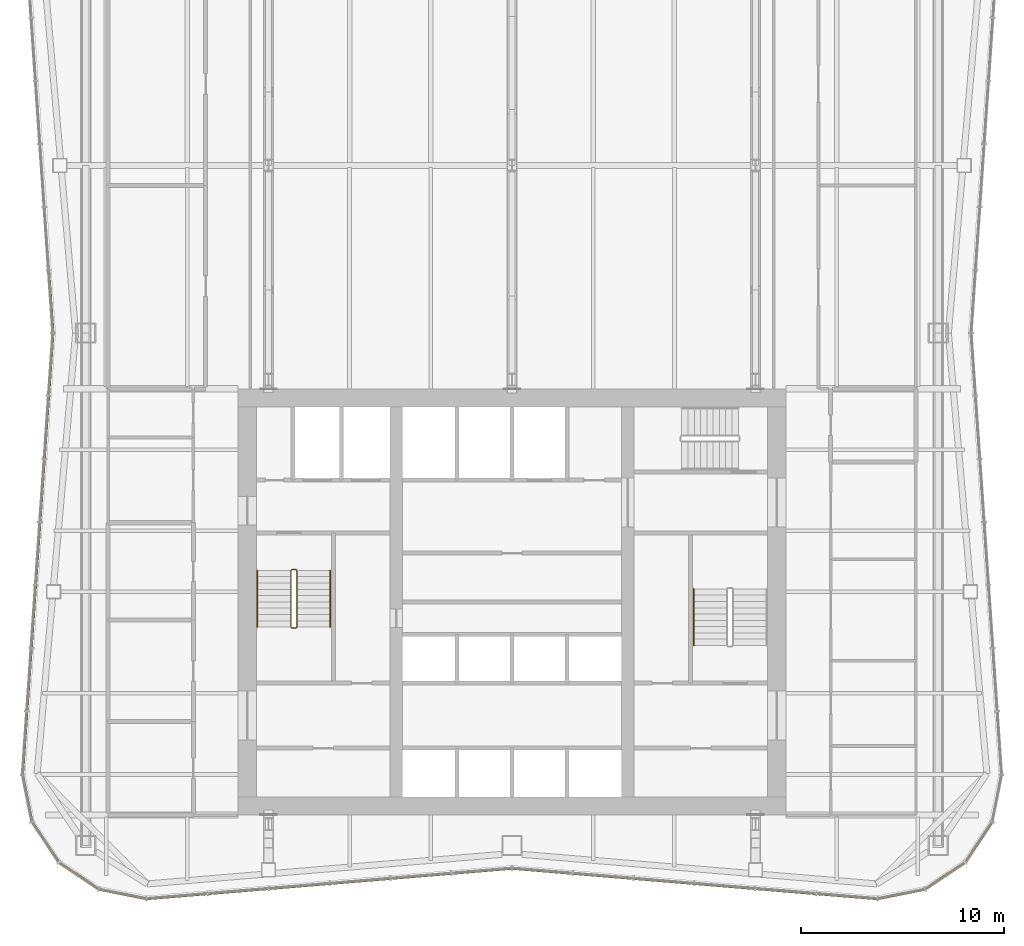
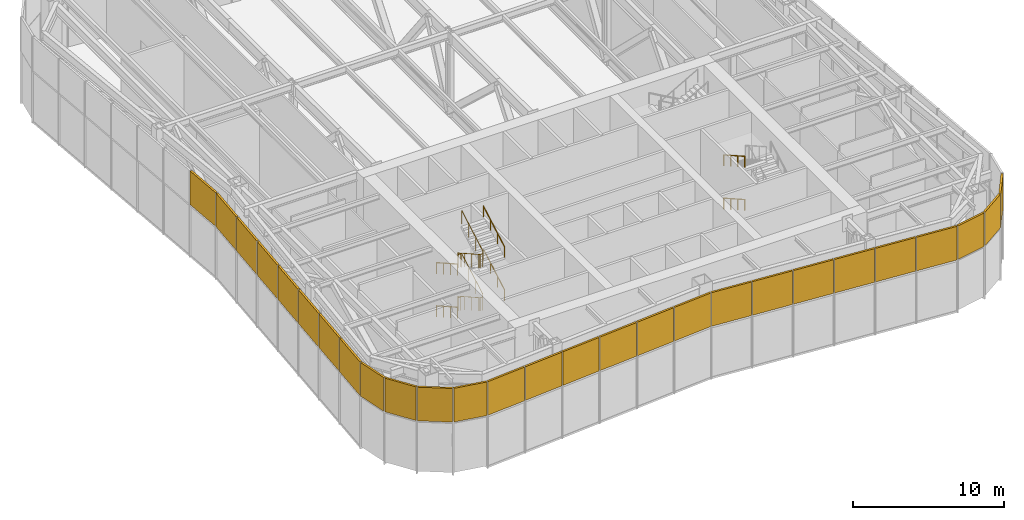
# One storey, part 12 of 14: 27 shading devices, 7 railings, 4 elements without a shape of their own.
"""IFC4 building model written with IfcOpenShell, lengths in metres."""

from ifc_helpers import new_model, si_unit, direction, frame, origin, origin_2d, place, context, subcontext, project, spatial, rectangle, circle, extrude, material, layer, layer_set, type_object, element, aggregate, save


model = new_model("IFC4")

# Units and contexts
model_context = context("Model", 3, precision=1e-05, world=origin(), true_north=direction((0.0, 1.0)))
body_context = subcontext(model_context, "Body", "Model", "MODEL_VIEW")
ifc_project = project(units=[si_unit("LENGTHUNIT", "METRE"), si_unit("AREAUNIT", "SQUARE_METRE"), si_unit("VOLUMEUNIT", "CUBIC_METRE"), si_unit("PLANEANGLEUNIT", "RADIAN"), si_unit("MASSUNIT", "GRAM", prefix="KILO")], contexts=[model_context])

# Site, building, storey
site_placement = place(None, origin())
site = spatial("IfcSite", under=ifc_project, at=site_placement, CompositionType="ELEMENT")
building_placement = place(site_placement, origin())
building = spatial("IfcBuilding", under=site, at=building_placement, Name="Verdant Reach Tower", CompositionType="ELEMENT")
storey_placement = place(building_placement, frame((0.0, 0.0, 226.0)))
storey = spatial("IfcBuildingStorey", under=building, at=storey_placement, Name="L52 Plant", CompositionType="ELEMENT", Elevation=226.0)

# Railings
ifc_material_1 = material(Name="Stainless steel", Category="steel")
railing_type_1 = type_object("IfcRailingType", Name="CO-GUARD", PredefinedType="GUARDRAIL", material=ifc_material_1)
railing_1_placement = place(storey_placement, frame((-10.64990234375, 29.60009765625, 0.0)))
element("IfcRailing", 1, at=railing_1_placement, inside=storey, type_object=railing_type_1, Name="L52 Plant ST-1 stair guard 1", PredefinedType="GUARDRAIL", context=body_context, shape_type="SweptSolid", body=[
    extrude(circle(Radius=0.02392578125, at=origin_2d()), frame((0.0, 0.0, 1.076171875), z_axis=(-1.0, 0.0, 0.0), x_axis=(0.0, -1.0, 0.0)), (0.0, 0.0, 1.0), 0.2001953125),
    extrude(circle(Radius=0.02392578125, at=origin_2d()), frame((-0.2001953125, 0.0, 1.076171875), z_axis=(-0.263862480399, -0.265155923931, 0.927399011991), x_axis=(0.708833529934, -0.705375805398, 0.0)), (0.0, 0.0, 1.0), 0.188720703125),
    extrude(circle(Radius=0.02392578125, at=origin_2d()), frame((-0.25, -0.050048828125, 1.2509765625), z_axis=(0.0, -0.870833779661, 0.491577591232), x_axis=(1.0, 0.0, 0.0)), (0.0, 0.0, 1.0), 3.203857421875),
    extrude(circle(Radius=0.02392578125, at=origin_2d()), frame((-0.25, -2.840087890625, 2.826171875), z_axis=(0.705375805398, -0.708833529934, 0.0), x_axis=(0.708833529934, 0.705375805398, 0.0)), (0.0, 0.0, 1.0), 0.070556640625),
    extrude(circle(Radius=0.02392578125, at=origin_2d()), frame((-0.2001953125, -2.89013671875, 2.826171875), z_axis=(1.0, 0.0, 0.0), x_axis=(0.0, 1.0, 0.0)), (0.0, 0.0, 1.0), 0.2001953125),
    extrude(circle(Radius=0.02392578125, at=origin_2d()), frame((0.0, -2.89013671875, 2.826171875), z_axis=(0.263862480399, 0.265155923931, 0.927399011991), x_axis=(-0.708833529934, 0.705375805398, 0.0)), (0.0, 0.0, 1.0), 0.188720703125),
    extrude(circle(Radius=0.02392578125, at=origin_2d()), frame((0.0498046875, -2.840087890625, 3.0009765625), z_axis=(0.0, 0.870833779661, 0.491577591232), x_axis=(-1.0, 0.0, 0.0)), (0.0, 0.0, 1.0), 3.203857421875),
    extrude(circle(Radius=0.02392578125, at=origin_2d()), frame((0.0498046875, -0.050048828125, 4.576171875), z_axis=(-0.705375805398, 0.708833529934, 0.0), x_axis=(-0.708833529934, -0.705375805398, 0.0)), (0.0, 0.0, 1.0), 0.070556640625),
    extrude(circle(Radius=0.02392578125, at=origin_2d()), frame((0.0, 0.0, 4.576171875), z_axis=(-1.0, 0.0, 0.0), x_axis=(0.0, -1.0, 0.0)), (0.0, 0.0, 1.0), 0.2001953125),
    extrude(circle(Radius=0.02392578125, at=origin_2d()), frame((-0.2001953125, 0.0, 4.576171875), z_axis=(-0.263862480399, -0.265155923931, 0.927399011991), x_axis=(0.708833529934, -0.705375805398, 0.0)), (0.0, 0.0, 1.0), 0.188720703125),
    extrude(circle(Radius=0.02392578125, at=origin_2d()), frame((-0.25, -0.050048828125, 4.7509765625), z_axis=(0.0, -0.870833779661, 0.491577591232), x_axis=(1.0, 0.0, 0.0)), (0.0, 0.0, 1.0), 3.203857421875),
    extrude(circle(Radius=0.02392578125, at=origin_2d()), frame((-0.25, -2.840087890625, 6.326171875), z_axis=(0.705375805398, -0.708833529934, 0.0), x_axis=(0.708833529934, 0.705375805398, 0.0)), (0.0, 0.0, 1.0), 0.070556640625),
    extrude(circle(Radius=0.02392578125, at=origin_2d()), frame((-0.2001953125, -2.89013671875, 6.326171875), z_axis=(1.0, 0.0, 0.0), x_axis=(0.0, 1.0, 0.0)), (0.0, 0.0, 1.0), 0.2001953125),
    extrude(circle(Radius=0.02392578125, at=origin_2d()), frame((0.0, -2.89013671875, 6.326171875), z_axis=(0.263862480399, 0.265155923931, 0.927399011991), x_axis=(-0.708833529934, 0.705375805398, 0.0)), (0.0, 0.0, 1.0), 0.188720703125),
    extrude(circle(Radius=0.02392578125, at=origin_2d()), frame((0.0498046875, -2.840087890625, 6.5009765625), z_axis=(0.0, 0.870833779661, 0.491577591232), x_axis=(-1.0, 0.0, 0.0)), (0.0, 0.0, 1.0), 3.203857421875),
    extrude(circle(Radius=0.02099609375, at=origin_2d()), origin(), (0.0, 0.0, 1.0), 1.052001953125),
    extrude(circle(Radius=0.02099609375, at=origin_2d()), frame((-0.2001953125, 0.0, 0.0)), (0.0, 0.0, 1.0), 1.052001953125),
    extrude(circle(Radius=0.02099609375, at=origin_2d()), frame((-0.25, -0.050048828125, 0.175048828125)), (0.0, 0.0, 1.0), 1.052001953125),
    extrude(circle(Radius=0.02099609375, at=origin_2d()), frame((-0.25, -0.97998046875, 0.699951171875)), (0.0, 0.0, 1.0), 1.052001953125),
    extrude(circle(Radius=0.02099609375, at=origin_2d()), frame((-0.25, -1.91015625, 1.22509765625)), (0.0, 0.0, 1.0), 1.052001953125),
    extrude(circle(Radius=0.02099609375, at=origin_2d()), frame((-0.25, -2.840087890625, 1.75)), (0.0, 0.0, 1.0), 1.052001953125),
    extrude(circle(Radius=0.02099609375, at=origin_2d()), frame((-0.2001953125, -2.89013671875, 1.75)), (0.0, 0.0, 1.0), 1.052001953125),
    extrude(circle(Radius=0.02099609375, at=origin_2d()), frame((0.0, -2.89013671875, 1.75)), (0.0, 0.0, 1.0), 1.052001953125),
    extrude(circle(Radius=0.02099609375, at=origin_2d()), frame((0.0498046875, -2.840087890625, 1.925048828125)), (0.0, 0.0, 1.0), 1.052001953125),
    extrude(circle(Radius=0.02099609375, at=origin_2d()), frame((0.0498046875, -1.91015625, 2.449951171875)), (0.0, 0.0, 1.0), 1.052001953125),
    extrude(circle(Radius=0.02099609375, at=origin_2d()), frame((0.0498046875, -0.97998046875, 2.97509765625)), (0.0, 0.0, 1.0), 1.052001953125),
    extrude(circle(Radius=0.02099609375, at=origin_2d()), frame((0.0498046875, -0.050048828125, 3.5)), (0.0, 0.0, 1.0), 1.052001953125),
    extrude(circle(Radius=0.02099609375, at=origin_2d()), frame((0.0, 0.0, 3.5)), (0.0, 0.0, 1.0), 1.052001953125),
    extrude(circle(Radius=0.02099609375, at=origin_2d()), frame((-0.2001953125, 0.0, 3.5)), (0.0, 0.0, 1.0), 1.052001953125),
    extrude(circle(Radius=0.02099609375, at=origin_2d()), frame((-0.25, -0.050048828125, 3.675048828125)), (0.0, 0.0, 1.0), 1.052001953125),
    extrude(circle(Radius=0.02099609375, at=origin_2d()), frame((-0.25, -0.97998046875, 4.199951171875)), (0.0, 0.0, 1.0), 1.052001953125),
    extrude(circle(Radius=0.02099609375, at=origin_2d()), frame((-0.25, -1.91015625, 4.72509765625)), (0.0, 0.0, 1.0), 1.052001953125),
    extrude(circle(Radius=0.02099609375, at=origin_2d()), frame((-0.25, -2.840087890625, 5.25)), (0.0, 0.0, 1.0), 1.052001953125),
    extrude(circle(Radius=0.02099609375, at=origin_2d()), frame((-0.2001953125, -2.89013671875, 5.25)), (0.0, 0.0, 1.0), 1.052001953125),
    extrude(circle(Radius=0.02099609375, at=origin_2d()), frame((0.0, -2.89013671875, 5.25)), (0.0, 0.0, 1.0), 1.052001953125),
    extrude(circle(Radius=0.02099609375, at=origin_2d()), frame((0.0498046875, -2.840087890625, 5.425048828125)), (0.0, 0.0, 1.0), 1.052001953125),
    extrude(circle(Radius=0.02099609375, at=origin_2d()), frame((0.0498046875, -1.91015625, 5.949951171875)), (0.0, 0.0, 1.0), 1.052001953125),
    extrude(circle(Radius=0.02099609375, at=origin_2d()), frame((0.0498046875, -0.97998046875, 6.47509765625)), (0.0, 0.0, 1.0), 1.052001953125),
    extrude(circle(Radius=0.02099609375, at=origin_2d()), frame((0.0498046875, -0.050048828125, 7.0)), (0.0, 0.0, 1.0), 1.052001953125),
])
railing_type_2 = type_object("IfcRailingType", Name="CO-HANDRAIL", PredefinedType="HANDRAIL", material=ifc_material_1)
railing_2_placement = place(storey_placement, frame((-12.550048828125, 29.550048828125, 0.175048828125)))
element("IfcRailing", 2, at=railing_2_placement, inside=storey, type_object=railing_type_2, Name="L52 Plant ST-1 stair handrail 1", PredefinedType="HANDRAIL", context=body_context, shape_type="SweptSolid", body=[
    extrude(circle(Radius=0.02392578125, at=origin_2d()), frame((0.0, 0.0, 0.8759765625), z_axis=(0.0, -0.870833779661, 0.491577591232), x_axis=(1.0, 0.0, 0.0)), (0.0, 0.0, 1.0), 3.203857421875),
    extrude(circle(Radius=0.02099609375, at=origin_2d()), origin(), (0.0, 0.0, 1.0), 0.851806640625),
    extrude(circle(Radius=0.02099609375, at=origin_2d()), frame((0.0, -0.929931640625, 0.52490234375)), (0.0, 0.0, 1.0), 0.851806640625),
    extrude(circle(Radius=0.02099609375, at=origin_2d()), frame((0.0, -1.860107421875, 1.050048828125)), (0.0, 0.0, 1.0), 0.851806640625),
    extrude(circle(Radius=0.02099609375, at=origin_2d()), frame((0.0, -2.7900390625, 1.574951171875)), (0.0, 0.0, 1.0), 0.851806640625),
])
railing_3_placement = place(storey_placement, frame((-8.949951171875, 26.760009765625, 1.925048828125)))
element("IfcRailing", 3, at=railing_3_placement, inside=storey, type_object=railing_type_2, Name="L52 Plant ST-1 stair handrail 2", PredefinedType="HANDRAIL", context=body_context, shape_type="SweptSolid", body=[
    extrude(circle(Radius=0.02392578125, at=origin_2d()), frame((0.0, 0.0, 0.8759765625), z_axis=(0.0, 0.870833779661, 0.491577591232), x_axis=(-1.0, 0.0, 0.0)), (0.0, 0.0, 1.0), 3.203857421875),
    extrude(circle(Radius=0.02099609375, at=origin_2d()), origin(), (0.0, 0.0, 1.0), 0.851806640625),
    extrude(circle(Radius=0.02099609375, at=origin_2d()), frame((0.0, 0.929931640625, 0.52490234375)), (0.0, 0.0, 1.0), 0.851806640625),
    extrude(circle(Radius=0.02099609375, at=origin_2d()), frame((0.0, 1.860107421875, 1.050048828125)), (0.0, 0.0, 1.0), 0.851806640625),
    extrude(circle(Radius=0.02099609375, at=origin_2d()), frame((0.0, 2.7900390625, 1.574951171875)), (0.0, 0.0, 1.0), 0.851806640625),
])
railing_4_placement = place(storey_placement, frame((-12.550048828125, 29.550048828125, 3.675048828125)))
element("IfcRailing", 4, at=railing_4_placement, inside=storey, type_object=railing_type_2, Name="L52 Plant ST-1 stair handrail 3", PredefinedType="HANDRAIL", context=body_context, shape_type="SweptSolid", body=[
    extrude(circle(Radius=0.02392578125, at=origin_2d()), frame((0.0, 0.0, 0.8759765625), z_axis=(0.0, -0.870833779661, 0.491577591232), x_axis=(1.0, 0.0, 0.0)), (0.0, 0.0, 1.0), 3.203857421875),
    extrude(circle(Radius=0.02099609375, at=origin_2d()), origin(), (0.0, 0.0, 1.0), 0.851806640625),
    extrude(circle(Radius=0.02099609375, at=origin_2d()), frame((0.0, -0.929931640625, 0.52490234375)), (0.0, 0.0, 1.0), 0.851806640625),
    extrude(circle(Radius=0.02099609375, at=origin_2d()), frame((0.0, -1.860107421875, 1.050048828125)), (0.0, 0.0, 1.0), 0.851806640625),
    extrude(circle(Radius=0.02099609375, at=origin_2d()), frame((0.0, -2.7900390625, 1.574951171875)), (0.0, 0.0, 1.0), 0.851806640625),
])
railing_5_placement = place(storey_placement, frame((-8.949951171875, 26.760009765625, 5.425048828125)))
element("IfcRailing", 5, at=railing_5_placement, inside=storey, type_object=railing_type_2, Name="L52 Plant ST-1 stair handrail 4", PredefinedType="HANDRAIL", context=body_context, shape_type="SweptSolid", body=[
    extrude(circle(Radius=0.02392578125, at=origin_2d()), frame((0.0, 0.0, 0.8759765625), z_axis=(0.0, 0.870833779661, 0.491577591232), x_axis=(-1.0, 0.0, 0.0)), (0.0, 0.0, 1.0), 3.203857421875),
    extrude(circle(Radius=0.02099609375, at=origin_2d()), origin(), (0.0, 0.0, 1.0), 0.851806640625),
    extrude(circle(Radius=0.02099609375, at=origin_2d()), frame((0.0, 0.929931640625, 0.52490234375)), (0.0, 0.0, 1.0), 0.851806640625),
    extrude(circle(Radius=0.02099609375, at=origin_2d()), frame((0.0, 1.860107421875, 1.050048828125)), (0.0, 0.0, 1.0), 0.851806640625),
    extrude(circle(Radius=0.02099609375, at=origin_2d()), frame((0.0, 2.7900390625, 1.574951171875)), (0.0, 0.0, 1.0), 0.851806640625),
])
for number, where, name in (
    (6, (8.949951171875, 28.639892578125, 1.925048828125), "L52 Plant ST-2 stair handrail 2"),
    (7, (8.949951171875, 28.639892578125, 5.425048828125), "L52 Plant ST-2 stair handrail 4"),
):
    element("IfcRailing", number, at=place(storey_placement, frame(where)), inside=storey, type_object=railing_type_2, Name=name, PredefinedType="HANDRAIL", context=body_context, shape_type="SweptSolid", body=[
        extrude(circle(Radius=0.02392578125, at=origin_2d()), frame((0.0, 0.0, 0.8759765625), z_axis=(0.0, -0.870815363784, 0.491610213684), x_axis=(1.0, 0.0, 0.0)), (0.0, 0.0, 1.0), 3.20361328125),
        extrude(circle(Radius=0.02099609375, at=origin_2d()), origin(), (0.0, 0.0, 1.0), 0.851806640625),
        extrude(circle(Radius=0.02099609375, at=origin_2d()), frame((0.0, -0.929931640625, 0.52490234375)), (0.0, 0.0, 1.0), 0.851806640625),
        extrude(circle(Radius=0.02099609375, at=origin_2d()), frame((0.0, -1.85986328125, 1.050048828125)), (0.0, 0.0, 1.0), 0.851806640625),
        extrude(circle(Radius=0.02099609375, at=origin_2d()), frame((0.0, -2.789794921875, 1.574951171875)), (0.0, 0.0, 1.0), 0.851806640625),
    ])

# Curtain wall, shading devices
ifc_material_2 = material(Name="Anodised aluminium", Category="aluminium")
curtain_wall_type = type_object("IfcCurtainWallType", Name="EN-CW SYSTEM PLANT", PredefinedType="NOTDEFINED", material=ifc_material_2)
curtain_wall_1_placement = place(storey_placement, origin())
curtain_wall_1 = element("IfcCurtainWall", 8, at=curtain_wall_1_placement, inside=storey, type_object=curtain_wall_type, Name="Curtain wall south-east corner, L52", PredefinedType="NOTDEFINED")
ifc_material_3 = material(Name="Bronze anodised aluminium louvre", Category="aluminium")
ifc_layer = layer(ifc_material_3, 0.14990234375)
ifc_layer_set = layer_set([ifc_layer], Name="EN-LOUVRE")
shading_device_type = type_object("IfcShadingDeviceType", Name="EN-LOUVRE", PredefinedType="USERDEFINED", material=ifc_layer_set)
shading_device_1_placement = place(storey_placement, frame((19.174072265625, 13.614013671875, 3.925048828125), z_axis=(0.0, 0.0, 1.0), x_axis=(0.980694678629, 0.195545256419, 0.0)))
shading_device_1 = element("IfcShadingDevice", 9, at=shading_device_1_placement, type_object=shading_device_type, Name="Louvre bank south-east corner 1, L52", ObjectType="LOUVRE", PredefinedType="USERDEFINED", context=body_context, shape_type="SweptSolid", body=[
    extrude(rectangle(XDim=2.304931640625, YDim=0.14990234375, at=origin_2d()), origin(), (0.0, 0.0, 1.0), 2.72509765625),
])
shading_device_2_placement = place(storey_placement, frame((21.334228515625, 14.510009765625, 3.925048828125), z_axis=(0.0, 0.0, 1.0), x_axis=(0.83145208321, 0.555596466265, 0.0)))
shading_device_2 = element("IfcShadingDevice", 10, at=shading_device_2_placement, type_object=shading_device_type, Name="Louvre bank south-east corner 2, L52", ObjectType="LOUVRE", PredefinedType="USERDEFINED", context=body_context, shape_type="SweptSolid", body=[
    extrude(rectangle(XDim=2.3115234375, YDim=0.14990234375, at=origin_2d()), origin(), (0.0, 0.0, 1.0), 2.72509765625),
])
shading_device_3_placement = place(storey_placement, frame((22.989990234375, 16.165771484375, 3.925048828125), z_axis=(0.0, 0.0, 1.0), x_axis=(0.555596466265, 0.83145208321, 0.0)))
shading_device_3 = element("IfcShadingDevice", 11, at=shading_device_3_placement, type_object=shading_device_type, Name="Louvre bank south-east corner 3, L52", ObjectType="LOUVRE", PredefinedType="USERDEFINED", context=body_context, shape_type="SweptSolid", body=[
    extrude(rectangle(XDim=2.3115234375, YDim=0.14990234375, at=origin_2d()), origin(), (0.0, 0.0, 1.0), 2.72509765625),
])
aggregate(curtain_wall_1, [shading_device_1, shading_device_2, shading_device_3])

curtain_wall_2_placement = place(storey_placement, origin())
curtain_wall_2 = element("IfcCurtainWall", 12, at=curtain_wall_2_placement, inside=storey, type_object=curtain_wall_type, Name="Curtain wall west, L52", PredefinedType="NOTDEFINED")
shading_device_4_placement = place(storey_placement, frame((-22.72607421875, 42.799560546875, 3.925048828125), z_axis=(0.0, 0.0, 1.0), x_axis=(0.068892655483, -0.997624078509, 0.0)))
shading_device_4 = element("IfcShadingDevice", 13, at=shading_device_4_placement, type_object=shading_device_type, Name="Louvre bank west face part 1 7, L52", ObjectType="LOUVRE", PredefinedType="USERDEFINED", context=body_context, shape_type="SweptSolid", body=[
    extrude(rectangle(XDim=3.0302734375, YDim=0.14990234375, at=origin_2d()), origin(), (0.0, 0.0, 1.0), 2.72509765625),
])
shading_device_5_placement = place(storey_placement, frame((-22.72607421875, 39.700439453125, 3.925048828125), z_axis=(0.0, 0.0, 1.0), x_axis=(-0.068892655483, -0.997624078509, 0.0)))
shading_device_5 = element("IfcShadingDevice", 14, at=shading_device_5_placement, type_object=shading_device_type, Name="Louvre bank west face part 2 1, L52", ObjectType="LOUVRE", PredefinedType="USERDEFINED", context=body_context, shape_type="SweptSolid", body=[
    extrude(rectangle(XDim=3.0302734375, YDim=0.14990234375, at=origin_2d()), origin(), (0.0, 0.0, 1.0), 2.72509765625),
])
shading_device_6_placement = place(storey_placement, frame((-22.940185546875, 36.597412109375, 3.925048828125), z_axis=(0.0, 0.0, 1.0), x_axis=(-0.068802091615, -0.997630328423, 0.0)))
shading_device_6 = element("IfcShadingDevice", 15, at=shading_device_6_placement, type_object=shading_device_type, Name="Louvre bank west face part 2 2, L52", ObjectType="LOUVRE", PredefinedType="USERDEFINED", context=body_context, shape_type="SweptSolid", body=[
    extrude(rectangle(XDim=3.03857421875, YDim=0.14990234375, at=origin_2d()), origin(), (0.0, 0.0, 1.0), 2.72509765625),
])
shading_device_7_placement = place(storey_placement, frame((-23.154541015625, 33.490234375, 3.925048828125), z_axis=(0.0, 0.0, 1.0), x_axis=(-0.068802091615, -0.997630328423, 0.0)))
shading_device_7 = element("IfcShadingDevice", 16, at=shading_device_7_placement, type_object=shading_device_type, Name="Louvre bank west face part 2 3, L52", ObjectType="LOUVRE", PredefinedType="USERDEFINED", context=body_context, shape_type="SweptSolid", body=[
    extrude(rectangle(XDim=3.03857421875, YDim=0.14990234375, at=origin_2d()), origin(), (0.0, 0.0, 1.0), 2.72509765625),
])
shading_device_8_placement = place(storey_placement, frame((-23.36865234375, 30.38330078125, 3.925048828125), z_axis=(0.0, 0.0, 1.0), x_axis=(-0.068802091615, -0.997630328423, 0.0)))
shading_device_8 = element("IfcShadingDevice", 17, at=shading_device_8_placement, type_object=shading_device_type, Name="Louvre bank west face part 2 4, L52", ObjectType="LOUVRE", PredefinedType="USERDEFINED", context=body_context, shape_type="SweptSolid", body=[
    extrude(rectangle(XDim=3.03857421875, YDim=0.14990234375, at=origin_2d()), origin(), (0.0, 0.0, 1.0), 2.72509765625),
])
shading_device_9_placement = place(storey_placement, frame((-23.5830078125, 27.276123046875, 3.925048828125), z_axis=(0.0, 0.0, 1.0), x_axis=(-0.068802091615, -0.997630328423, 0.0)))
shading_device_9 = element("IfcShadingDevice", 18, at=shading_device_9_placement, type_object=shading_device_type, Name="Louvre bank west face part 2 5, L52", ObjectType="LOUVRE", PredefinedType="USERDEFINED", context=body_context, shape_type="SweptSolid", body=[
    extrude(rectangle(XDim=3.03857421875, YDim=0.14990234375, at=origin_2d()), origin(), (0.0, 0.0, 1.0), 2.72509765625),
])
shading_device_10_placement = place(storey_placement, frame((-23.79736328125, 24.1689453125, 3.925048828125), z_axis=(0.0, 0.0, 1.0), x_axis=(-0.068802091615, -0.997630328423, 0.0)))
shading_device_10 = element("IfcShadingDevice", 19, at=shading_device_10_placement, type_object=shading_device_type, Name="Louvre bank west face part 2 6, L52", ObjectType="LOUVRE", PredefinedType="USERDEFINED", context=body_context, shape_type="SweptSolid", body=[
    extrude(rectangle(XDim=3.03857421875, YDim=0.14990234375, at=origin_2d()), origin(), (0.0, 0.0, 1.0), 2.72509765625),
])
shading_device_11_placement = place(storey_placement, frame((-24.011474609375, 21.053955078125, 3.925048828125), z_axis=(0.0, 0.0, 1.0), x_axis=(-0.068469163133, -0.997653233193, 0.0)))
shading_device_11 = element("IfcShadingDevice", 20, at=shading_device_11_placement, type_object=shading_device_type, Name="Louvre bank west face part 2 7, L52", ObjectType="LOUVRE", PredefinedType="USERDEFINED", context=body_context, shape_type="SweptSolid", body=[
    extrude(rectangle(XDim=3.05419921875, YDim=0.14990234375, at=origin_2d()), origin(), (0.0, 0.0, 1.0), 2.72509765625),
])
aggregate(curtain_wall_2, [shading_device_4, shading_device_5, shading_device_6, shading_device_7, shading_device_8, shading_device_9, shading_device_10, shading_device_11])

curtain_wall_3_placement = place(storey_placement, origin())
curtain_wall_3 = element("IfcCurtainWall", 21, at=curtain_wall_3_placement, inside=storey, type_object=curtain_wall_type, Name="Curtain wall south-west corner, L52", PredefinedType="NOTDEFINED")
shading_device_12_placement = place(storey_placement, frame((-23.885986328125, 18.325439453125, 3.925048828125), z_axis=(0.0, 0.0, 1.0), x_axis=(0.195592962334, -0.980685165119, 0.0)))
shading_device_12 = element("IfcShadingDevice", 22, at=shading_device_12_placement, type_object=shading_device_type, Name="Louvre bank south-west corner 1, L52", ObjectType="LOUVRE", PredefinedType="USERDEFINED", context=body_context, shape_type="SweptSolid", body=[
    extrude(rectangle(XDim=2.303955078125, YDim=0.14990234375, at=origin_2d()), origin(), (0.0, 0.0, 1.0), 2.72509765625),
])
shading_device_13_placement = place(storey_placement, frame((-22.989990234375, 16.165771484375, 3.925048828125), z_axis=(0.0, 0.0, 1.0), x_axis=(0.555596466265, -0.83145208321, 0.0)))
shading_device_13 = element("IfcShadingDevice", 23, at=shading_device_13_placement, type_object=shading_device_type, Name="Louvre bank south-west corner 2, L52", ObjectType="LOUVRE", PredefinedType="USERDEFINED", context=body_context, shape_type="SweptSolid", body=[
    extrude(rectangle(XDim=2.3115234375, YDim=0.14990234375, at=origin_2d()), origin(), (0.0, 0.0, 1.0), 2.72509765625),
])
shading_device_14_placement = place(storey_placement, frame((-21.334228515625, 14.510009765625, 3.925048828125), z_axis=(0.0, 0.0, 1.0), x_axis=(0.83145208321, -0.555596466265, 0.0)))
shading_device_14 = element("IfcShadingDevice", 24, at=shading_device_14_placement, type_object=shading_device_type, Name="Louvre bank south-west corner 3, L52", ObjectType="LOUVRE", PredefinedType="USERDEFINED", context=body_context, shape_type="SweptSolid", body=[
    extrude(rectangle(XDim=2.3115234375, YDim=0.14990234375, at=origin_2d()), origin(), (0.0, 0.0, 1.0), 2.72509765625),
])
shading_device_15_placement = place(storey_placement, frame((-19.174072265625, 13.614013671875, 3.925048828125), z_axis=(0.0, 0.0, 1.0), x_axis=(0.980694678629, -0.195545256419, 0.0)))
shading_device_15 = element("IfcShadingDevice", 25, at=shading_device_15_placement, type_object=shading_device_type, Name="Louvre bank south-west corner 4, L52", ObjectType="LOUVRE", PredefinedType="USERDEFINED", context=body_context, shape_type="SweptSolid", body=[
    extrude(rectangle(XDim=2.304931640625, YDim=0.14990234375, at=origin_2d()), origin(), (0.0, 0.0, 1.0), 2.72509765625),
])
aggregate(curtain_wall_3, [shading_device_12, shading_device_13, shading_device_14, shading_device_15])

curtain_wall_4_placement = place(storey_placement, origin())
curtain_wall_4 = element("IfcCurtainWall", 26, at=curtain_wall_4_placement, inside=storey, type_object=curtain_wall_type, Name="Curtain wall south, L52", PredefinedType="NOTDEFINED")
shading_device_16_placement = place(storey_placement, frame((-16.49853515625, 13.50634765625, 3.925048828125), z_axis=(0.0, 0.0, 1.0), x_axis=(0.996577509664, 0.082663578629, 0.0)))
shading_device_16 = element("IfcShadingDevice", 27, at=shading_device_16_placement, type_object=shading_device_type, Name="Louvre bank south face part 1 1, L52", ObjectType="LOUVRE", PredefinedType="USERDEFINED", context=body_context, shape_type="SweptSolid", body=[
    extrude(rectangle(XDim=2.950927734375, YDim=0.14990234375, at=origin_2d()), origin(), (0.0, 0.0, 1.0), 2.72509765625),
])
shading_device_17_placement = place(storey_placement, frame((-13.490234375, 13.75634765625, 3.925048828125), z_axis=(0.0, 0.0, 1.0), x_axis=(0.996545758244, 0.083045479859, 0.0)))
shading_device_17 = element("IfcShadingDevice", 28, at=shading_device_17_placement, type_object=shading_device_type, Name="Louvre bank south face part 1 2, L52", ObjectType="LOUVRE", PredefinedType="USERDEFINED", context=body_context, shape_type="SweptSolid", body=[
    extrude(rectangle(XDim=2.934326171875, YDim=0.14990234375, at=origin_2d()), origin(), (0.0, 0.0, 1.0), 2.72509765625),
])
shading_device_18_placement = place(storey_placement, frame((-10.490234375, 14.00634765625, 3.925048828125), z_axis=(0.0, 0.0, 1.0), x_axis=(0.996545758244, 0.083045479859, 0.0)))
shading_device_18 = element("IfcShadingDevice", 29, at=shading_device_18_placement, type_object=shading_device_type, Name="Louvre bank south face part 1 3, L52", ObjectType="LOUVRE", PredefinedType="USERDEFINED", context=body_context, shape_type="SweptSolid", body=[
    extrude(rectangle(XDim=2.934326171875, YDim=0.14990234375, at=origin_2d()), origin(), (0.0, 0.0, 1.0), 2.72509765625),
])
shading_device_19_placement = place(storey_placement, frame((-7.490234375, 14.25634765625, 3.925048828125), z_axis=(0.0, 0.0, 1.0), x_axis=(0.996545758244, 0.083045479859, 0.0)))
shading_device_19 = element("IfcShadingDevice", 30, at=shading_device_19_placement, type_object=shading_device_type, Name="Louvre bank south face part 1 4, L52", ObjectType="LOUVRE", PredefinedType="USERDEFINED", context=body_context, shape_type="SweptSolid", body=[
    extrude(rectangle(XDim=2.934326171875, YDim=0.14990234375, at=origin_2d()), origin(), (0.0, 0.0, 1.0), 2.72509765625),
])
shading_device_20_placement = place(storey_placement, frame((-4.490234375, 14.50634765625, 3.925048828125), z_axis=(0.0, 0.0, 1.0), x_axis=(0.996545758244, 0.083045479859, 0.0)))
shading_device_20 = element("IfcShadingDevice", 31, at=shading_device_20_placement, type_object=shading_device_type, Name="Louvre bank south face part 1 5, L52", ObjectType="LOUVRE", PredefinedType="USERDEFINED", context=body_context, shape_type="SweptSolid", body=[
    extrude(rectangle(XDim=2.934326171875, YDim=0.14990234375, at=origin_2d()), origin(), (0.0, 0.0, 1.0), 2.72509765625),
])
shading_device_21_placement = place(storey_placement, frame((-1.4951171875, 14.756103515625, 3.925048828125), z_axis=(0.0, 0.0, 1.0), x_axis=(0.996534372104, 0.083182000546, 0.0)))
shading_device_21 = element("IfcShadingDevice", 32, at=shading_device_21_placement, type_object=shading_device_type, Name="Louvre bank south face part 1 6, L52", ObjectType="LOUVRE", PredefinedType="USERDEFINED", context=body_context, shape_type="SweptSolid", body=[
    extrude(rectangle(XDim=2.924560546875, YDim=0.14990234375, at=origin_2d()), origin(), (0.0, 0.0, 1.0), 2.72509765625),
])
shading_device_22_placement = place(storey_placement, frame((1.4951171875, 14.756103515625, 3.925048828125), z_axis=(0.0, 0.0, 1.0), x_axis=(0.996534372104, -0.083182000546, 0.0)))
shading_device_22 = element("IfcShadingDevice", 33, at=shading_device_22_placement, type_object=shading_device_type, Name="Louvre bank south face part 2 1, L52", ObjectType="LOUVRE", PredefinedType="USERDEFINED", context=body_context, shape_type="SweptSolid", body=[
    extrude(rectangle(XDim=2.924560546875, YDim=0.14990234375, at=origin_2d()), origin(), (0.0, 0.0, 1.0), 2.72509765625),
])
shading_device_23_placement = place(storey_placement, frame((4.490234375, 14.50634765625, 3.925048828125), z_axis=(0.0, 0.0, 1.0), x_axis=(0.996545758244, -0.083045479859, 0.0)))
shading_device_23 = element("IfcShadingDevice", 34, at=shading_device_23_placement, type_object=shading_device_type, Name="Louvre bank south face part 2 2, L52", ObjectType="LOUVRE", PredefinedType="USERDEFINED", context=body_context, shape_type="SweptSolid", body=[
    extrude(rectangle(XDim=2.934326171875, YDim=0.14990234375, at=origin_2d()), origin(), (0.0, 0.0, 1.0), 2.72509765625),
])
shading_device_24_placement = place(storey_placement, frame((7.490234375, 14.25634765625, 3.925048828125), z_axis=(0.0, 0.0, 1.0), x_axis=(0.996545758244, -0.083045479859, 0.0)))
shading_device_24 = element("IfcShadingDevice", 35, at=shading_device_24_placement, type_object=shading_device_type, Name="Louvre bank south face part 2 3, L52", ObjectType="LOUVRE", PredefinedType="USERDEFINED", context=body_context, shape_type="SweptSolid", body=[
    extrude(rectangle(XDim=2.934326171875, YDim=0.14990234375, at=origin_2d()), origin(), (0.0, 0.0, 1.0), 2.72509765625),
])
shading_device_25_placement = place(storey_placement, frame((10.490234375, 14.00634765625, 3.925048828125), z_axis=(0.0, 0.0, 1.0), x_axis=(0.996545758244, -0.083045479859, 0.0)))
shading_device_25 = element("IfcShadingDevice", 36, at=shading_device_25_placement, type_object=shading_device_type, Name="Louvre bank south face part 2 4, L52", ObjectType="LOUVRE", PredefinedType="USERDEFINED", context=body_context, shape_type="SweptSolid", body=[
    extrude(rectangle(XDim=2.934326171875, YDim=0.14990234375, at=origin_2d()), origin(), (0.0, 0.0, 1.0), 2.72509765625),
])
shading_device_26_placement = place(storey_placement, frame((13.490234375, 13.75634765625, 3.925048828125), z_axis=(0.0, 0.0, 1.0), x_axis=(0.996545758244, -0.083045479859, 0.0)))
shading_device_26 = element("IfcShadingDevice", 37, at=shading_device_26_placement, type_object=shading_device_type, Name="Louvre bank south face part 2 5, L52", ObjectType="LOUVRE", PredefinedType="USERDEFINED", context=body_context, shape_type="SweptSolid", body=[
    extrude(rectangle(XDim=2.934326171875, YDim=0.14990234375, at=origin_2d()), origin(), (0.0, 0.0, 1.0), 2.72509765625),
])
shading_device_27_placement = place(storey_placement, frame((16.49853515625, 13.50634765625, 3.925048828125), z_axis=(0.0, 0.0, 1.0), x_axis=(0.996577509664, -0.082663578629, 0.0)))
shading_device_27 = element("IfcShadingDevice", 38, at=shading_device_27_placement, type_object=shading_device_type, Name="Louvre bank south face part 2 6, L52", ObjectType="LOUVRE", PredefinedType="USERDEFINED", context=body_context, shape_type="SweptSolid", body=[
    extrude(rectangle(XDim=2.950927734375, YDim=0.14990234375, at=origin_2d()), origin(), (0.0, 0.0, 1.0), 2.72509765625),
])
aggregate(curtain_wall_4, [shading_device_16, shading_device_17, shading_device_18, shading_device_19, shading_device_20, shading_device_21, shading_device_22, shading_device_23, shading_device_24, shading_device_25, shading_device_26, shading_device_27])

save(model, "model.ifc")
